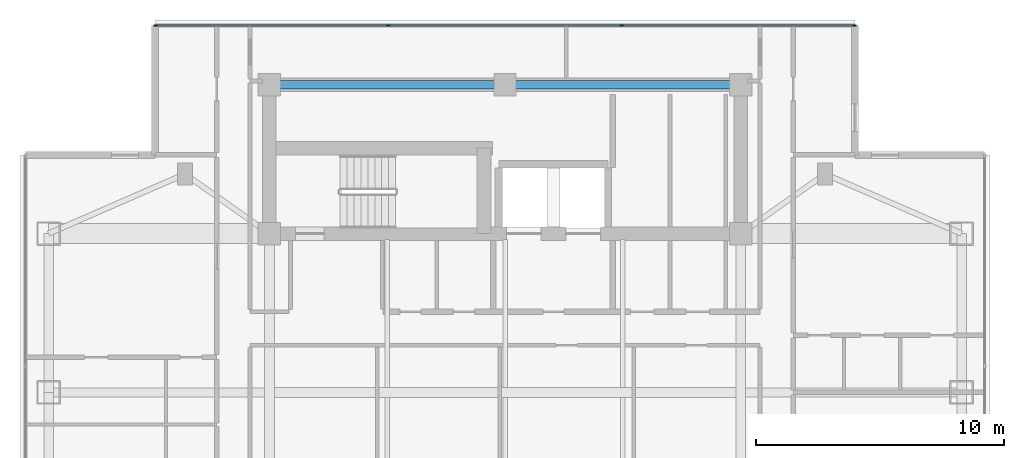
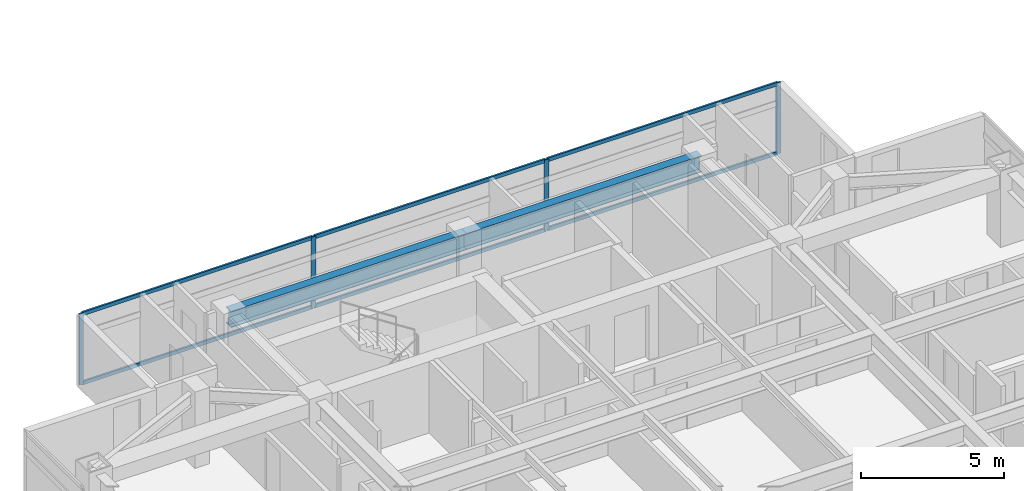
# One storey, part 8 of 23: 10 members, 2 beams, 1 element without a shape of its own.
"""IFC4 building model written with IfcOpenShell, lengths in metres."""

from ifc_helpers import new_model, si_unit, direction, frame, origin, origin_2d, place, context, subcontext, project, spatial, rectangle, i_section, extrude, material, material_profile, profile_set, type_object, element, aggregate, save


model = new_model("IFC4")

# Units and contexts
model_context = context("Model", 3, precision=1e-05, world=origin(), true_north=direction((0.0, 1.0)))
body_context = subcontext(model_context, "Body", "Model", "MODEL_VIEW")
ifc_project = project(units=[si_unit("LENGTHUNIT", "METRE"), si_unit("AREAUNIT", "SQUARE_METRE"), si_unit("VOLUMEUNIT", "CUBIC_METRE"), si_unit("PLANEANGLEUNIT", "RADIAN"), si_unit("MASSUNIT", "GRAM", prefix="KILO")], contexts=[model_context])

# Site, building, storey
site_placement = place(None, origin())
site = spatial("IfcSite", under=ifc_project, at=site_placement, CompositionType="ELEMENT")
building_placement = place(site_placement, origin())
building = spatial("IfcBuilding", under=site, at=building_placement, Name="Mirazonda Arch Towers", CompositionType="ELEMENT")
storey_placement = place(building_placement, frame((0.0, 0.0, 183.64990234375)))
storey = spatial("IfcBuildingStorey", under=building, at=storey_placement, Name="L52", CompositionType="ELEMENT", Elevation=183.64990234375)

# Beams
ifc_material_1 = material(Name="Steel ASTM A992 Grade 50", Category="steel")
ifc_material_profile_1 = material_profile(ifc_material_1, i_section(OverallWidth=0.35498046875, OverallDepth=0.696044921875, WebThickness=0.015380859375, FlangeThickness=0.02490234375, at=origin_2d()), Name="W27X146")
ifc_profile_set_1 = profile_set([ifc_material_profile_1], Name="Steel ASTM A992 Grade 50")
beam_type = type_object("IfcBeamType", Name="BM-INT-W27X146", PredefinedType="BEAM", material=ifc_profile_set_1)
for number, where, z_axis, x_axis, name in (
    (1, (11.0, 43.60009765625, 2.7021484375), (1.0, 0.0, 0.0), (0.0, 1.0, 0.0), "L52 Floor Beam BM-T1-L52-CN1"),
    (2, (20.5, 43.60009765625, 2.7021484375), (1.0, 0.0, 0.0), (0.0, 1.0, 0.0), "L52 Floor Beam BM-T1-L52-CN2"),
):
    element("IfcBeam", number, at=place(storey_placement, frame(where, z_axis=z_axis, x_axis=x_axis)), inside=storey, type_object=beam_type, Name=name, PredefinedType="BEAM", context=body_context, shape_type="SweptSolid", body=[
        extrude(i_section(OverallWidth=0.35498046875, OverallDepth=0.696044921875, WebThickness=0.015380859375, FlangeThickness=0.02490234375, at=origin_2d()), origin(), (0.0, 0.0, 1.0), 9.5),
    ])

# Curtain wall, members
ifc_material_2 = material(Name="Anodised Aluminium and Low-E Glass", Category="aluminium")
curtain_wall_type = type_object("IfcCurtainWallType", Name="CW-RES-UNIT", PredefinedType="NOTDEFINED", material=ifc_material_2)
curtain_wall_placement = place(storey_placement, origin())
curtain_wall = element("IfcCurtainWall", 3, at=curtain_wall_placement, inside=storey, type_object=curtain_wall_type, Name="L52 T1 N Facade CW-L52-T1-N", PredefinedType="NOTDEFINED")
ifc_material_3 = material(Name="Anodised Aluminium Alloy", Category="aluminium")
ifc_material_profile_2 = material_profile(ifc_material_3, rectangle(XDim=0.074951171875, YDim=0.175048828125, at=origin_2d()), Name="ALU-MULL-75x175")
ifc_profile_set_2 = profile_set([ifc_material_profile_2], Name="Anodised Aluminium Alloy")
member_type_1 = type_object("IfcMemberType", Name="MULL-CW-RES-UNIT", PredefinedType="MULLION", material=ifc_profile_set_2)
member_1_placement = place(storey_placement, frame((6.422607421875, 45.989990234375, 0.0), z_axis=(0.0, 0.0, 1.0), x_axis=(0.0, 1.0, 0.0)))
member_1 = element("IfcMember", 4, at=member_1_placement, type_object=member_type_1, Name="CW-104 mullion 1", PredefinedType="MULLION", context=body_context, shape_type="SweptSolid", body=[
    extrude(rectangle(XDim=0.074951171875, YDim=0.175048828125, at=origin_2d()), origin(), (0.0, 0.0, 1.0), 3.030029296875),
])
member_2_placement = place(storey_placement, frame((15.794921875, 45.989990234375, 0.0), z_axis=(0.0, 0.0, 1.0), x_axis=(0.0, 1.0, 0.0)))
member_2 = element("IfcMember", 5, at=member_2_placement, type_object=member_type_1, Name="CW-104 mullion 2", PredefinedType="MULLION", context=body_context, shape_type="SweptSolid", body=[
    extrude(rectangle(XDim=0.074951171875, YDim=0.175048828125, at=origin_2d()), origin(), (0.0, 0.0, 1.0), 3.030029296875),
])
member_3_placement = place(storey_placement, frame((25.205078125, 45.989990234375, 0.0), z_axis=(0.0, 0.0, 1.0), x_axis=(0.0, 1.0, 0.0)))
member_3 = element("IfcMember", 6, at=member_3_placement, type_object=member_type_1, Name="CW-104 mullion 3", PredefinedType="MULLION", context=body_context, shape_type="SweptSolid", body=[
    extrude(rectangle(XDim=0.074951171875, YDim=0.175048828125, at=origin_2d()), origin(), (0.0, 0.0, 1.0), 3.030029296875),
])
member_4_placement = place(storey_placement, frame((34.577392578125, 45.989990234375, 0.0), z_axis=(0.0, 0.0, 1.0), x_axis=(0.0, 1.0, 0.0)))
member_4 = element("IfcMember", 7, at=member_4_placement, type_object=member_type_1, Name="CW-104 mullion 4", PredefinedType="MULLION", context=body_context, shape_type="SweptSolid", body=[
    extrude(rectangle(XDim=0.074951171875, YDim=0.175048828125, at=origin_2d()), origin(), (0.0, 0.0, 1.0), 3.030029296875),
])
ifc_material_profile_3 = material_profile(ifc_material_3, rectangle(XDim=0.074951171875, YDim=0.155029296875, at=origin_2d()), Name="ALU-TRAN-75x155")
ifc_profile_set_3 = profile_set([ifc_material_profile_3], Name="Anodised Aluminium Alloy")
member_type_2 = type_object("IfcMemberType", Name="TRAN-CW-RES-UNIT", PredefinedType="USERDEFINED", material=ifc_profile_set_3)
member_5_placement = place(storey_placement, frame((6.4599609375, 45.989990234375, 0.03759765625), z_axis=(1.0, 0.0, 0.0), x_axis=(0.0, 1.0, 0.0)))
member_5 = element("IfcMember", 8, at=member_5_placement, type_object=member_type_2, Name="CW-104 transom 1.1", ObjectType="TRANSOM", PredefinedType="USERDEFINED", context=body_context, shape_type="SweptSolid", body=[
    extrude(rectangle(XDim=0.074951171875, YDim=0.155029296875, at=origin_2d()), origin(), (0.0, 0.0, 1.0), 9.297607421875),
])
member_6_placement = place(storey_placement, frame((6.4599609375, 45.989990234375, 2.99267578125), z_axis=(1.0, 0.0, 0.0), x_axis=(0.0, 1.0, 0.0)))
member_6 = element("IfcMember", 9, at=member_6_placement, type_object=member_type_2, Name="CW-104 transom 1.2", ObjectType="TRANSOM", PredefinedType="USERDEFINED", context=body_context, shape_type="SweptSolid", body=[
    extrude(rectangle(XDim=0.074951171875, YDim=0.155029296875, at=origin_2d()), origin(), (0.0, 0.0, 1.0), 9.297607421875),
])
member_7_placement = place(storey_placement, frame((15.83251953125, 45.989990234375, 0.03759765625), z_axis=(1.0, 0.0, 0.0), x_axis=(0.0, 1.0, 0.0)))
member_7 = element("IfcMember", 10, at=member_7_placement, type_object=member_type_2, Name="CW-104 transom 2.1", ObjectType="TRANSOM", PredefinedType="USERDEFINED", context=body_context, shape_type="SweptSolid", body=[
    extrude(rectangle(XDim=0.074951171875, YDim=0.155029296875, at=origin_2d()), origin(), (0.0, 0.0, 1.0), 9.3349609375),
])
member_8_placement = place(storey_placement, frame((15.83251953125, 45.989990234375, 2.99267578125), z_axis=(1.0, 0.0, 0.0), x_axis=(0.0, 1.0, 0.0)))
member_8 = element("IfcMember", 11, at=member_8_placement, type_object=member_type_2, Name="CW-104 transom 2.2", ObjectType="TRANSOM", PredefinedType="USERDEFINED", context=body_context, shape_type="SweptSolid", body=[
    extrude(rectangle(XDim=0.074951171875, YDim=0.155029296875, at=origin_2d()), origin(), (0.0, 0.0, 1.0), 9.3349609375),
])
member_9_placement = place(storey_placement, frame((25.242431640625, 45.989990234375, 0.03759765625), z_axis=(1.0, 0.0, 0.0), x_axis=(0.0, 1.0, 0.0)))
member_9 = element("IfcMember", 12, at=member_9_placement, type_object=member_type_2, Name="CW-104 transom 3.1", ObjectType="TRANSOM", PredefinedType="USERDEFINED", context=body_context, shape_type="SweptSolid", body=[
    extrude(rectangle(XDim=0.074951171875, YDim=0.155029296875, at=origin_2d()), origin(), (0.0, 0.0, 1.0), 9.297607421875),
])
member_10_placement = place(storey_placement, frame((25.242431640625, 45.989990234375, 2.99267578125), z_axis=(1.0, 0.0, 0.0), x_axis=(0.0, 1.0, 0.0)))
member_10 = element("IfcMember", 13, at=member_10_placement, type_object=member_type_2, Name="CW-104 transom 3.2", ObjectType="TRANSOM", PredefinedType="USERDEFINED", context=body_context, shape_type="SweptSolid", body=[
    extrude(rectangle(XDim=0.074951171875, YDim=0.155029296875, at=origin_2d()), origin(), (0.0, 0.0, 1.0), 9.297607421875),
])
aggregate(curtain_wall, [member_1, member_2, member_3, member_4, member_5, member_6, member_7, member_8, member_9, member_10])

save(model, "model.ifc")
